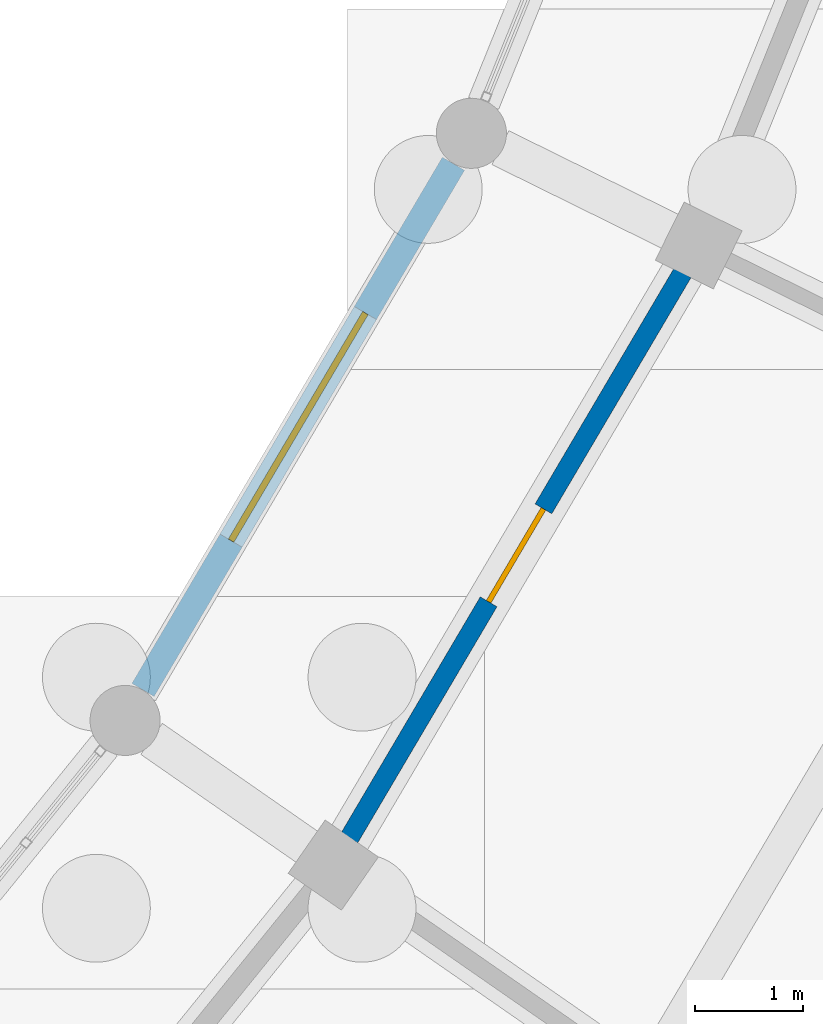
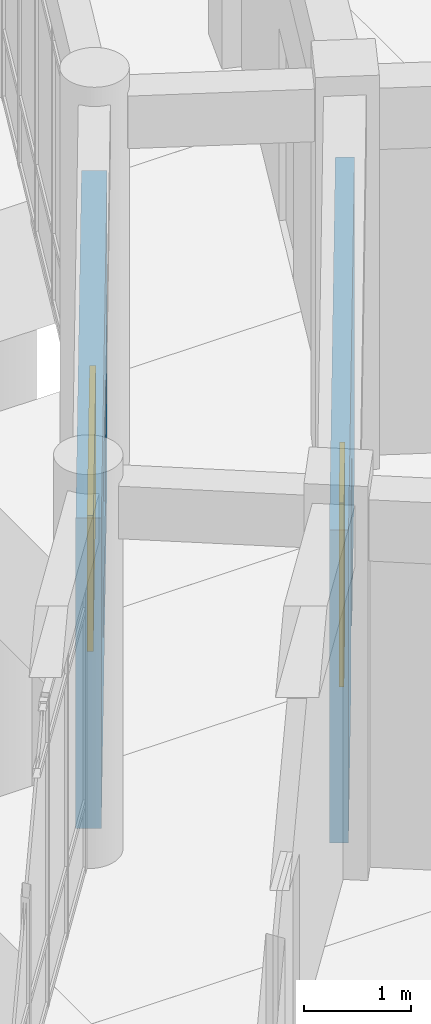
# One storey, part 124 of 153: 2 walls, 1 door, 1 window, 2 openings.
"""IFC4 building model written with IfcOpenShell, lengths in metres."""

from ifc_helpers import new_model, si_unit, direction, frame, frame_2d, origin, place, context, subcontext, project, spatial, rectangle, extrude, material, layer, layer_set, type_object, element, fill, save


model = new_model("IFC4")

# Units and contexts
model_context = context("Model", 3, precision=1e-05, world=origin(), true_north=direction((0.0, 1.0)))
body_context = subcontext(model_context, "Body", "Model", "MODEL_VIEW")
ifc_project = project(units=[si_unit("LENGTHUNIT", "METRE"), si_unit("AREAUNIT", "SQUARE_METRE"), si_unit("VOLUMEUNIT", "CUBIC_METRE"), si_unit("PLANEANGLEUNIT", "RADIAN"), si_unit("MASSUNIT", "GRAM", prefix="KILO")], contexts=[model_context])

# Site, building, storey
site_placement = place(None, origin())
site = spatial("IfcSite", under=ifc_project, at=site_placement, CompositionType="ELEMENT")
building_placement = place(site_placement, origin())
building = spatial("IfcBuilding", under=site, at=building_placement, Name="Celadon Cloister-Ring School", CompositionType="ELEMENT")
storey_placement = place(building_placement, origin())
storey = spatial("IfcBuildingStorey", under=building, at=storey_placement, Name="L00", CompositionType="ELEMENT", Elevation=0.0)

# Wall, opening, window
ifc_material_1 = material(Name="Rendered concrete blockwork", Category="masonry")
ifc_layer_1 = layer(ifc_material_1, 0.239990234375)
ifc_layer_set_1 = layer_set([ifc_layer_1], Name="Rendered concrete blockwork")
wall_type_1 = type_object("IfcWallType", Name="WT-EX3", PredefinedType="SOLIDWALL", material=ifc_layer_set_1)
wall_1_placement = place(storey_placement, frame((122.197998046875, 34.9560546875, 0.0), z_axis=(0.0, 0.0, 1.0), x_axis=(0.508142466777, 0.861273030727, 0.0)))
wall_1 = element("IfcWall", 1, at=wall_1_placement, inside=storey, type_object=wall_type_1, Name="Exterior Wall 0036", PredefinedType="SOLIDWALL", context=body_context, shape_type="SweptSolid", body=[
    extrude(rectangle(XDim=5.66357421875, YDim=0.239990234375, at=frame_2d((2.831787109375, 0.0))), origin(), (0.0, 0.0, 1.0), 3.550048828125),
])
opening_1_placement = place(wall_1_placement, frame((1.60693359375, 0.0, 0.89990234375)))
opening_1 = element("IfcOpeningElement", 2, at=opening_1_placement, cuts=wall_1, Name="Opening WN-40", PredefinedType="OPENING", context=body_context, shape_type="SweptSolid", body=[
    extrude(rectangle(XDim=2.449951171875, YDim=1.550048828125, at=frame_2d((1.22509765625, 0.77490234375))), frame((0.0, 0.1298828125, 0.0), z_axis=(0.0, -1.0, 0.0), x_axis=(1.0, 0.0, 0.0)), (0.0, 0.0, 1.0), 0.260009765625),
])
ifc_material_2 = material(Name="Tempered laminated insulating glass", Category="glass")
window_type = type_object("IfcWindowType", Name="WN-40", PartitioningType="DOUBLE_PANEL_VERTICAL", PredefinedType="WINDOW", material=ifc_material_2)
window_placement = place(opening_1_placement, origin())
window = element("IfcWindow", 3, at=window_placement, inside=storey, type_object=window_type, Name="Window 0091", OverallHeight=1.550048828125, OverallWidth=2.449951171875, PartitioningType="SINGLE_PANEL", PredefinedType="WINDOW", context=body_context, shape_type="SweptSolid", body=[
    extrude(rectangle(XDim=2.449951171875, YDim=1.550048828125, at=frame_2d((1.22509765625, 0.77490234375))), frame((0.0, 0.030029296875, 0.0), z_axis=(0.0, -1.0, 0.0), x_axis=(1.0, 0.0, 0.0)), (0.0, 0.0, 1.0), 0.06005859375),
])
fill(opening_1, window)

# Wall, opening, door
ifc_material_3 = material(Name="Plastered hollow concrete masonry", Category="masonry")
ifc_layer_2 = layer(ifc_material_3, 0.179931640625)
ifc_layer_set_2 = layer_set([ifc_layer_2], Name="Plastered hollow concrete masonry")
wall_type_2 = type_object("IfcWallType", Name="WT-PT2", PredefinedType="PARTITIONING", material=ifc_layer_set_2)
wall_2_placement = place(storey_placement, frame((124.111083984375, 33.5849609375, 0.0), z_axis=(0.0, 0.0, 1.0), x_axis=(0.507886500356, 0.861423997086, 0.0)))
wall_2 = element("IfcWall", 4, at=wall_2_placement, inside=storey, type_object=wall_type_2, Name="Interior Wall 0472", PredefinedType="PARTITIONING", context=body_context, shape_type="SweptSolid", body=[
    extrude(rectangle(XDim=6.081787109375, YDim=0.179931640625, at=frame_2d((3.041015625, 0.0))), origin(), (0.0, 0.0, 1.0), 3.572021484375),
])
opening_2_placement = place(wall_2_placement, frame((2.541015625, 0.0, 0.0)))
opening_2 = element("IfcOpeningElement", 5, at=opening_2_placement, cuts=wall_2, Name="Opening D-0133", PredefinedType="OPENING", context=body_context, shape_type="SweptSolid", body=[
    extrude(rectangle(XDim=1.0, YDim=2.10009765625, at=frame_2d((0.5, 1.050048828125))), frame((0.0, 0.10009765625, 0.0), z_axis=(0.0, -1.0, 0.0), x_axis=(1.0, 0.0, 0.0)), (0.0, 0.0, 1.0), 0.199951171875),
])
ifc_material_4 = material(Name="Solid-core fire-rated hardwood leaf", Category="wood")
door_type = type_object("IfcDoorType", Name="DT-04", OperationType="NOTDEFINED", PredefinedType="DOOR", material=ifc_material_4)
door_placement = place(opening_2_placement, origin())
door = element("IfcDoor", 6, at=door_placement, inside=storey, type_object=door_type, Name="Door D-0133", OperationType="SINGLE_SWING_LEFT", OverallHeight=2.10009765625, OverallWidth=1.0, PredefinedType="DOOR", context=body_context, shape_type="SweptSolid", body=[
    extrude(rectangle(XDim=1.0, YDim=2.10009765625, at=frame_2d((0.5, 1.050048828125))), frame((0.0, 0.02490234375, 0.0), z_axis=(0.0, -1.0, 0.0), x_axis=(1.0, 0.0, 0.0)), (0.0, 0.0, 1.0), 0.050048828125),
])
fill(opening_2, door)

save(model, "model.ifc")
